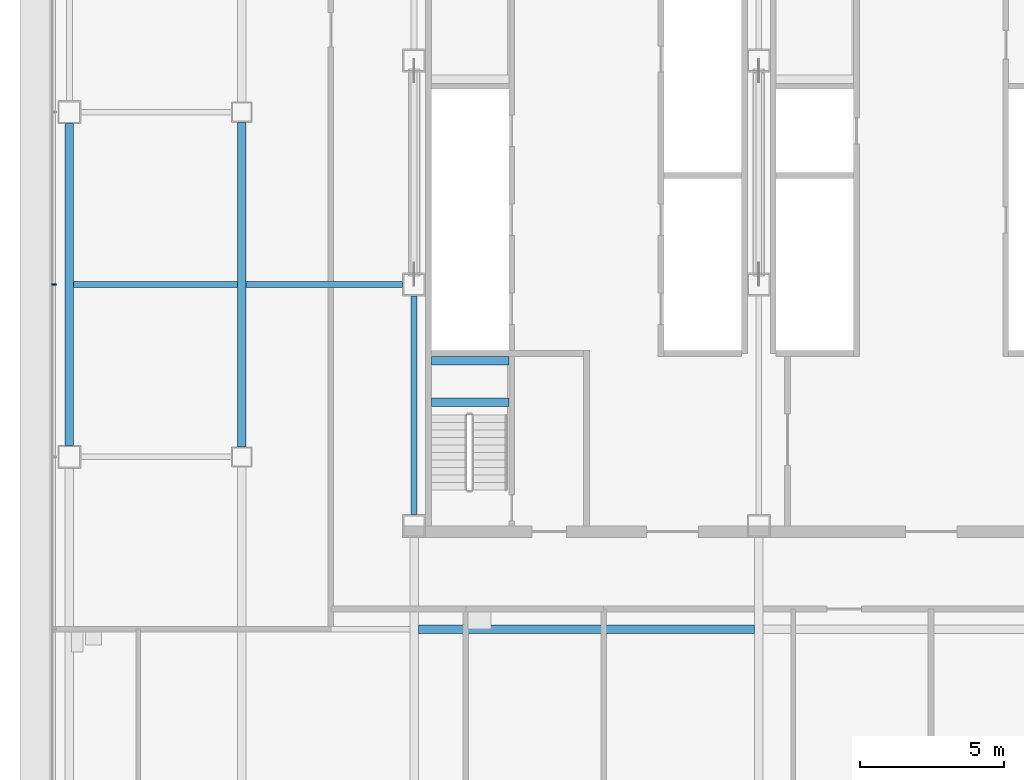
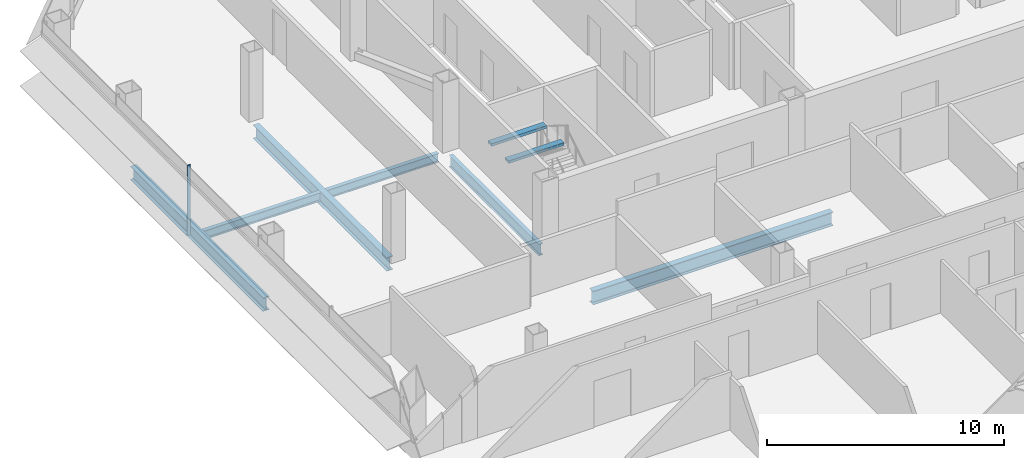
# One storey, part 6 of 25: 8 beams, 1 member, 1 element without a shape of its own.
"""IFC4 building model written with IfcOpenShell, lengths in metres."""

import ifcopenshell
import ifcopenshell.guid

model = None  # the IFC model being written
_history = None  # IfcOwnerHistory: only IFC2X3 demands one
_inside = {}  # id of a spatial element -> (the spatial element, [elements in it])
_under = {}  # id of a project, library or spatial element -> (it, [spatial elements below it])
_declared = {}  # id of a project -> (the project, [libraries it declares])
_typed = {}  # id of a type object -> (the type object, [elements of that type])
_made_of = {}  # id of a material, layer set ... -> (it, [elements and type objects made of it])


def new_model(schema):
    """Start an empty IFC model of exactly this schema.

    Asked for "IFC4X3", IfcOpenShell would pick the latest addendum, in which some entities
    have other attributes; the version numbers below select the first issue.
    IFC2X3 requires an IfcOwnerHistory on every rooted entity: one is made here for all.
    """
    global model, _history
    if schema == "IFC4X3":
        model = ifcopenshell.file(schema_version=(4, 3, 0, 0))
    else:
        model = ifcopenshell.file(schema=schema)
    _inside.clear()
    _under.clear()
    _declared.clear()
    _typed.clear()
    _made_of.clear()
    _history = None
    if model.schema == "IFC2X3":
        org = make("IfcOrganization", Name="unknown")
        user = make(
            "IfcPersonAndOrganization",
            ThePerson=make("IfcPerson", FamilyName="unknown"),
            TheOrganization=org,
        )
        app = make(
            "IfcApplication",
            ApplicationDeveloper=org,
            Version="unknown",
            ApplicationFullName="unknown",
            ApplicationIdentifier="unknown",
        )
        _history = make(
            "IfcOwnerHistory",
            OwningUser=user,
            OwningApplication=app,
            ChangeAction="ADDED",
            CreationDate=0,
        )
    return model


def make(cls, **values):
    """One entity of the class cls with the attributes given. An attribute that is None is left unset."""
    return model.create_entity(
        cls, **{name: value for name, value in values.items() if value is not None}
    )


def rooted(cls, **values):
    """An entity with a GlobalId (a new one), such as an element, a storey or a relation."""
    return make(cls, GlobalId=ifcopenshell.guid.new(), OwnerHistory=_history, **values)


def si_unit(unit_type, name, prefix=None):
    """IfcSIUnit, for example si_unit("LENGTHUNIT", "METRE", prefix="MILLI")."""
    return make("IfcSIUnit", UnitType=unit_type, Prefix=prefix, Name=name)


def assignment(units):
    """IfcUnitAssignment: the units of a project."""
    return None if units is None else make("IfcUnitAssignment", Units=units)


def point(xyz):
    """IfcCartesianPoint."""
    return None if xyz is None else make("IfcCartesianPoint", Coordinates=xyz)


def direction(xyz):
    """IfcDirection."""
    return None if xyz is None else make("IfcDirection", DirectionRatios=xyz)


def frame(location, z_axis=None, x_axis=None):
    """IfcAxis2Placement3D, a coordinate frame: its origin and axes. An axis left out is left unset."""
    return make(
        "IfcAxis2Placement3D",
        Location=point(location),
        Axis=direction(z_axis),
        RefDirection=direction(x_axis),
    )


def frame_2d(location, x_axis=None):
    """IfcAxis2Placement2D, a coordinate frame in the plane: its origin and x axis."""
    return make(
        "IfcAxis2Placement2D", Location=point(location), RefDirection=direction(x_axis)
    )


def origin():
    """The frame at (0, 0, 0) with its axes left unset."""
    return frame((0.0, 0.0, 0.0))


def origin_2d():
    """The frame at (0, 0) in the plane with its x axis left unset."""
    return frame_2d((0.0, 0.0))


def place(relative_to, where):
    """IfcLocalPlacement: puts the frame where relative to a parent placement (None: the world)."""
    return make(
        "IfcLocalPlacement", PlacementRelTo=relative_to, RelativePlacement=where
    )


def context(
    kind, dimensions, precision=None, world=None, true_north=None, identifier=None
):
    """IfcGeometricRepresentationContext, for example the 3D "Model" context."""
    return make(
        "IfcGeometricRepresentationContext",
        ContextIdentifier=identifier,
        ContextType=kind,
        CoordinateSpaceDimension=dimensions,
        Precision=precision,
        WorldCoordinateSystem=world,
        TrueNorth=true_north,
    )


def subcontext(parent, identifier, kind, view, scale=None):
    """IfcGeometricRepresentationSubContext, for example "Body" below "Model"."""
    return make(
        "IfcGeometricRepresentationSubContext",
        ContextIdentifier=identifier,
        ContextType=kind,
        ParentContext=parent,
        TargetScale=scale,
        TargetView=view,
    )


def project(units=None, contexts=None):
    """IfcProject with its units and contexts."""
    return rooted(
        "IfcProject",
        Name="project",
        RepresentationContexts=contexts,
        UnitsInContext=assignment(units),
    )


def spatial(cls, under=None, at=None, **own):
    """A site, building, storey or space (cls), placed at a placement, below another one or the project."""
    s = rooted(cls, ObjectPlacement=at, **own)
    if under is not None:
        _under.setdefault(under.id(), (under, []))[1].append(s)
    return s


def profile(cls, at=None, kind="AREA", **sizes):
    """A parametric profile (cls). Its sizes go by their IFC names, for example OverallWidth=200.0."""
    return make(cls, ProfileType=kind, Position=at, **sizes)


def rectangle(**sizes):
    """IfcRectangleProfileDef."""
    return profile("IfcRectangleProfileDef", **sizes)


def i_section(**sizes):
    """IfcIShapeProfileDef."""
    return profile("IfcIShapeProfileDef", **sizes)


def extrude(swept, where, along, depth):
    """IfcExtrudedAreaSolid: the profile swept, set in the frame where, extruded along a direction by depth."""
    return make(
        "IfcExtrudedAreaSolid",
        SweptArea=swept,
        Position=where,
        ExtrudedDirection=direction(along),
        Depth=depth,
    )


def shape(context_of_items, identifier, shape_type, items):
    """IfcShapeRepresentation: the items that make up one representation, for example the "Body"."""
    return make(
        "IfcShapeRepresentation",
        ContextOfItems=context_of_items,
        RepresentationIdentifier=identifier,
        RepresentationType=shape_type,
        Items=items,
    )


def material(Name=None, Category=None):
    """IfcMaterial."""
    return make("IfcMaterial", Name=Name, Category=Category)


def material_profile(
    of_material, cross_section, Name=None, Category=None, Priority=None
):
    """IfcMaterialProfile: a cross section and its material."""
    return make(
        "IfcMaterialProfile",
        Name=Name,
        Material=of_material,
        Profile=cross_section,
        Priority=Priority,
        Category=Category,
    )


def profile_set(profiles, Name=None, composite=None):
    """IfcMaterialProfileSet."""
    return make(
        "IfcMaterialProfileSet",
        Name=Name,
        MaterialProfiles=profiles,
        CompositeProfile=composite,
    )


def made_of(thing, what):
    """Note that an element or type object is made of a material, layer set ...; save() writes the relation."""
    if what is not None:
        _made_of.setdefault(what.id(), (what, []))[1].append(thing)
    return thing


def type_object(cls, material=None, **own):
    """A type object (cls), such as IfcWallType, which elements share."""
    return made_of(rooted(cls, **own), material)


def element(
    cls,
    number,
    at=None,
    inside=None,
    cuts=None,
    type_object=None,
    material=None,
    context=None,
    identifier="Body",
    shape_type=None,
    held_by="IfcProductDefinitionShape",
    body=None,
    shapes=None,
    **own,
):
    """One element of the class cls, such as IfcWall. Its Tag is "e" and its number.

    at: its placement. inside: the storey or other place that contains it. cuts: it is an
    opening in that element (IfcRelVoidsElement). A single representation is given by context,
    identifier, shape_type and body (its items); several are given by shapes. held_by: the class
    of the entity that holds the representations. save() writes the other relations.
    """
    e = rooted(cls, Tag="e%d" % number, ObjectPlacement=at, **own)
    if body is not None:
        shapes = [shape(context, identifier, shape_type, body)]
    if shapes is not None:
        e.Representation = make(held_by, Representations=shapes)
    if inside is not None:
        _inside.setdefault(inside.id(), (inside, []))[1].append(e)
    if cuts is not None:
        rooted(
            "IfcRelVoidsElement", RelatingBuildingElement=cuts, RelatedOpeningElement=e
        )
    if type_object is not None:
        _typed.setdefault(type_object.id(), (type_object, []))[1].append(e)
    return made_of(e, material)


def aggregate(whole, parts):
    """IfcRelAggregates: a whole, such as a stair, and the parts it consists of."""
    return rooted("IfcRelAggregates", RelatingObject=whole, RelatedObjects=parts)


def save(model, path):
    """Write the relations noted so far, then the file.

    IfcRelAggregates (storeys below a building ...), IfcRelContainedInSpatialStructure (elements
    in a storey), IfcRelDefinesByType, IfcRelAssociatesMaterial and IfcRelDeclares: one each for
    every whole, place, type object, material and project.
    """
    for whole, parts in _under.values():
        aggregate(whole, parts)
    for where, things in _inside.values():
        rooted(
            "IfcRelContainedInSpatialStructure",
            RelatedElements=things,
            RelatingStructure=where,
        )
    for kind, things in _typed.values():
        rooted("IfcRelDefinesByType", RelatedObjects=things, RelatingType=kind)
    for what, things in _made_of.values():
        rooted("IfcRelAssociatesMaterial", RelatedObjects=things, RelatingMaterial=what)
    for by, libraries in _declared.values():
        rooted("IfcRelDeclares", RelatingContext=by, RelatedDefinitions=libraries)
    model.write(path)


model = new_model("IFC4")

# Units and contexts
model_context = context("Model", 3, precision=1e-05, world=origin(), true_north=direction((0.0, 1.0)))
body_context = subcontext(model_context, "Body", "Model", "MODEL_VIEW")
ifc_project = project(units=[si_unit("LENGTHUNIT", "METRE"), si_unit("AREAUNIT", "SQUARE_METRE"), si_unit("VOLUMEUNIT", "CUBIC_METRE"), si_unit("PLANEANGLEUNIT", "RADIAN"), si_unit("MASSUNIT", "GRAM", prefix="KILO")], contexts=[model_context])

# Site, building, storey
site_placement = place(None, origin())
site = spatial("IfcSite", under=ifc_project, at=site_placement, CompositionType="ELEMENT")
building_placement = place(site_placement, origin())
building = spatial("IfcBuilding", under=site, at=building_placement, Name="Sorahane Residences", CompositionType="ELEMENT")
storey_placement = place(building_placement, frame((0.0, 0.0, 99.800048828125)))
storey = spatial("IfcBuildingStorey", under=building, at=storey_placement, Name="L21", CompositionType="ELEMENT", Elevation=99.800048828125)

# Curtain wall, member
ifc_material_1 = material(Name="Dark low-e glass and black anodised aluminium", Category="aluminium")
curtain_wall_type = type_object("IfcCurtainWallType", Name="Curtain wall CW-1 Typical unitised wall", PredefinedType="NOTDEFINED", material=ifc_material_1)
curtain_wall_placement = place(storey_placement, origin())
curtain_wall = element("IfcCurtainWall", 1, at=curtain_wall_placement, inside=storey, type_object=curtain_wall_type, Name="CW-1 curtain wall L21 W1", PredefinedType="NOTDEFINED")
ifc_material_2 = material(Name="Black anodised aluminium", Category="aluminium")
ifc_material_profile_1 = material_profile(ifc_material_2, rectangle(XDim=0.159912109375, YDim=0.050048828125, at=origin_2d()), Name="Curtain wall mullion CW-1 black anodised aluminium 50x160")
ifc_profile_set_1 = profile_set([ifc_material_profile_1], Name="Black anodised aluminium")
member_type = type_object("IfcMemberType", Name="Curtain wall mullion CW-1 black anodised aluminium 50x160", PredefinedType="MULLION", material=ifc_profile_set_1)
member_placement = place(storey_placement, frame((-6.5400390625, 30.0, -0.179931640625), z_axis=(0.0, 0.0, 1.0), x_axis=(-1.0, 0.0, 0.0)))
member = element("IfcMember", 2, at=member_placement, type_object=member_type, Name="CW-1 mullion L21 W1.3", PredefinedType="MULLION", context=body_context, shape_type="SweptSolid", body=[
    extrude(rectangle(XDim=0.159912109375, YDim=0.050048828125, at=origin_2d()), origin(), (0.0, 0.0, 1.0), 3.599853515625),
])
aggregate(curtain_wall, [member])

# Beams
ifc_material_3 = material(Name="Concrete C40", Category="concrete")
ifc_material_profile_2 = material_profile(ifc_material_3, rectangle(XDim=0.300048828125, YDim=0.139892578125, at=origin_2d()), Name="300x140")
ifc_profile_set_2 = profile_set([ifc_material_profile_2], Name="Concrete C40")
beam_type_1 = type_object("IfcBeamType", Name="RC landing beam 300 x 140 Concrete C40", PredefinedType="BEAM", material=ifc_profile_set_2)
for number, where, z_axis, x_axis, name in (
    (3, (6.60009765625, 25.89990234375, 1.530029296875), (1.0, 0.0, 0.0), (0.0, 1.0, 0.0), "Landing beam"),
    (4, (6.60009765625, 27.35009765625, 1.530029296875), (1.0, 0.0, 0.0), (0.0, 1.0, 0.0), "Landing beam"),
):
    element("IfcBeam", number, at=place(storey_placement, frame(where, z_axis=z_axis, x_axis=x_axis)), inside=storey, type_object=beam_type_1, Name=name, PredefinedType="BEAM", context=body_context, shape_type="SweptSolid", body=[
        extrude(rectangle(XDim=0.300048828125, YDim=0.139892578125, at=origin_2d()), origin(), (0.0, 0.0, 1.0), 2.699951171875),
    ])
ifc_material_4 = material(Name="Steel Q355B", Category="steel")
ifc_material_profile_3 = material_profile(ifc_material_4, i_section(OverallWidth=0.199951171875, OverallDepth=0.449951171875, WebThickness=0.009033203125, FlangeThickness=0.013916015625, FilletRadius=0.02001953125, at=origin_2d()), Name="HN 450x200x9x14")
ifc_profile_set_3 = profile_set([ifc_material_profile_3], Name="Steel Q355B")
beam_type_2 = type_object("IfcBeamType", Name="Steel floor beam HN 450x200x9x14 Q355B", PredefinedType="BEAM", material=ifc_profile_set_3)
beam_1_placement = place(storey_placement, frame((-5.85009765625, 30.0, -0.405029296875), z_axis=(1.0, 0.0, 0.0), x_axis=(0.0, 1.0, 0.0)))
element("IfcBeam", 5, at=beam_1_placement, inside=storey, type_object=beam_type_2, Name="Beam L21 085", PredefinedType="BEAM", context=body_context, shape_type="SweptSolid", body=[
    extrude(i_section(OverallWidth=0.199951171875, OverallDepth=0.449951171875, WebThickness=0.009033203125, FlangeThickness=0.013916015625, FilletRadius=0.02001953125, at=origin_2d()), origin(), (0.0, 0.0, 1.0), 5.7001953125),
])
beam_2_placement = place(storey_placement, frame((0.14990234375, 30.0, -0.405029296875), z_axis=(1.0, 0.0, 0.0), x_axis=(0.0, 1.0, 0.0)))
element("IfcBeam", 6, at=beam_2_placement, inside=storey, type_object=beam_type_2, Name="Beam L21 086", PredefinedType="BEAM", context=body_context, shape_type="SweptSolid", body=[
    extrude(i_section(OverallWidth=0.199951171875, OverallDepth=0.449951171875, WebThickness=0.009033203125, FlangeThickness=0.013916015625, FilletRadius=0.02001953125, at=origin_2d()), origin(), (0.0, 0.0, 1.0), 5.4501953125),
])
ifc_material_5 = material(Name="Steel Q355B", Category="steel")
ifc_material_profile_4 = material_profile(ifc_material_5, i_section(OverallWidth=0.199951171875, OverallDepth=0.60009765625, WebThickness=0.010986328125, FlangeThickness=0.01708984375, FilletRadius=0.02392578125, at=origin_2d()), Name="HN 600x200x11x17")
ifc_profile_set_4 = profile_set([ifc_material_profile_4], Name="Steel Q355B")
beam_type_3 = type_object("IfcBeamType", Name="Steel floor beam HN 600x200x11x17 Q355B", PredefinedType="BEAM", material=ifc_profile_set_4)
beam_3_placement = place(storey_placement, frame((6.0, 22.0, -0.47998046875), z_axis=(0.0, 1.0, 0.0), x_axis=(-1.0, 0.0, 0.0)))
element("IfcBeam", 7, at=beam_3_placement, inside=storey, type_object=beam_type_3, Name="Beam L21 030", PredefinedType="BEAM", context=body_context, shape_type="SweptSolid", body=[
    extrude(i_section(OverallWidth=0.199951171875, OverallDepth=0.60009765625, WebThickness=0.010986328125, FlangeThickness=0.01708984375, FilletRadius=0.02392578125, at=origin_2d()), origin(), (0.0, 0.0, 1.0), 7.60009765625),
])
ifc_material_6 = material(Name="Steel Q355B", Category="steel")
ifc_material_profile_5 = material_profile(ifc_material_6, i_section(OverallWidth=0.300048828125, OverallDepth=0.699951171875, WebThickness=0.012939453125, FlangeThickness=0.02392578125, FilletRadius=0.028076171875, at=origin_2d()), Name="HN 700x300x13x24")
ifc_profile_set_5 = profile_set([ifc_material_profile_5], Name="Steel Q355B")
beam_type_4 = type_object("IfcBeamType", Name="Steel floor beam HN 700x300x13x24 Q355B", PredefinedType="BEAM", material=ifc_profile_set_5)
beam_4_placement = place(storey_placement, frame((-6.0, 24.39990234375, -0.530029296875), z_axis=(0.0, 1.0, 0.0), x_axis=(-1.0, 0.0, 0.0)))
element("IfcBeam", 8, at=beam_4_placement, inside=storey, type_object=beam_type_4, Name="Beam L21 022", PredefinedType="BEAM", context=body_context, shape_type="SweptSolid", body=[
    extrude(i_section(OverallWidth=0.300048828125, OverallDepth=0.699951171875, WebThickness=0.012939453125, FlangeThickness=0.02392578125, FilletRadius=0.028076171875, at=origin_2d()), origin(), (0.0, 0.0, 1.0), 11.2001953125),
])
beam_5_placement = place(storey_placement, frame((0.0, 24.35009765625, -0.530029296875), z_axis=(0.0, 1.0, 0.0), x_axis=(-1.0, 0.0, 0.0)))
element("IfcBeam", 9, at=beam_5_placement, inside=storey, type_object=beam_type_4, Name="Beam L21 026", PredefinedType="BEAM", context=body_context, shape_type="SweptSolid", body=[
    extrude(i_section(OverallWidth=0.300048828125, OverallDepth=0.699951171875, WebThickness=0.012939453125, FlangeThickness=0.02392578125, FilletRadius=0.028076171875, at=origin_2d()), origin(), (0.0, 0.0, 1.0), 11.2998046875),
])
beam_6_placement = place(storey_placement, frame((6.14990234375, 18.0, -0.530029296875), z_axis=(1.0, 0.0, 0.0), x_axis=(0.0, 1.0, 0.0)))
element("IfcBeam", 10, at=beam_6_placement, inside=storey, type_object=beam_type_4, Name="Beam L21 080", PredefinedType="BEAM", context=body_context, shape_type="SweptSolid", body=[
    extrude(i_section(OverallWidth=0.300048828125, OverallDepth=0.699951171875, WebThickness=0.012939453125, FlangeThickness=0.02392578125, FilletRadius=0.028076171875, at=origin_2d()), origin(), (0.0, 0.0, 1.0), 11.7001953125),
])

save(model, "model.ifc")
